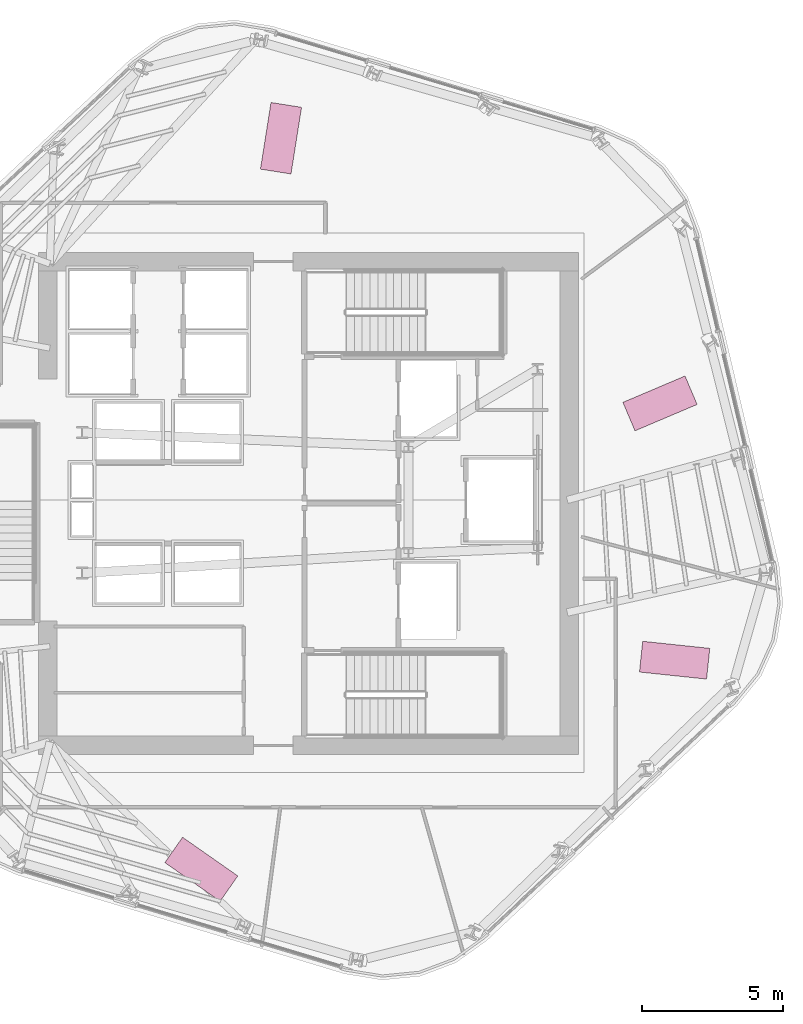
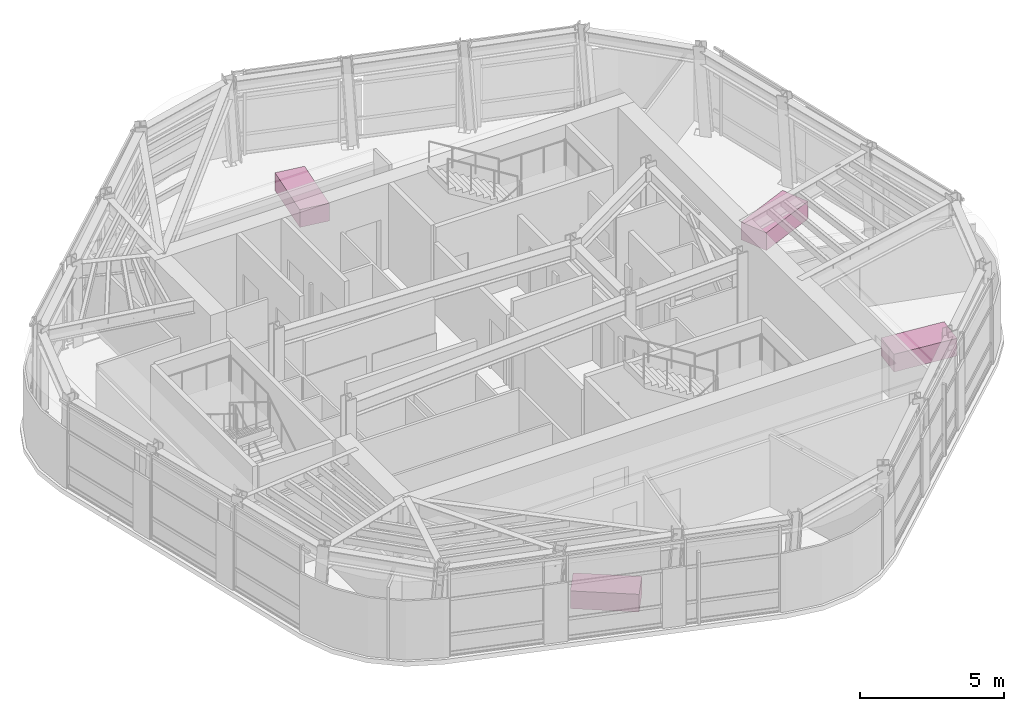
# One storey, part 14 of 14: 4 furniture elements.
"""IFC4 building model written with IfcOpenShell, lengths in metres."""

import ifcopenshell
import ifcopenshell.guid

model = None  # the IFC model being written
_history = None  # IfcOwnerHistory: only IFC2X3 demands one
_inside = {}  # id of a spatial element -> (the spatial element, [elements in it])
_under = {}  # id of a project, library or spatial element -> (it, [spatial elements below it])
_declared = {}  # id of a project -> (the project, [libraries it declares])
_typed = {}  # id of a type object -> (the type object, [elements of that type])
_made_of = {}  # id of a material, layer set ... -> (it, [elements and type objects made of it])


def new_model(schema):
    """Start an empty IFC model of exactly this schema.

    Asked for "IFC4X3", IfcOpenShell would pick the latest addendum, in which some entities
    have other attributes; the version numbers below select the first issue.
    IFC2X3 requires an IfcOwnerHistory on every rooted entity: one is made here for all.
    """
    global model, _history
    if schema == "IFC4X3":
        model = ifcopenshell.file(schema_version=(4, 3, 0, 0))
    else:
        model = ifcopenshell.file(schema=schema)
    _inside.clear()
    _under.clear()
    _declared.clear()
    _typed.clear()
    _made_of.clear()
    _history = None
    if model.schema == "IFC2X3":
        org = make("IfcOrganization", Name="unknown")
        user = make(
            "IfcPersonAndOrganization",
            ThePerson=make("IfcPerson", FamilyName="unknown"),
            TheOrganization=org,
        )
        app = make(
            "IfcApplication",
            ApplicationDeveloper=org,
            Version="unknown",
            ApplicationFullName="unknown",
            ApplicationIdentifier="unknown",
        )
        _history = make(
            "IfcOwnerHistory",
            OwningUser=user,
            OwningApplication=app,
            ChangeAction="ADDED",
            CreationDate=0,
        )
    return model


def make(cls, **values):
    """One entity of the class cls with the attributes given. An attribute that is None is left unset."""
    return model.create_entity(
        cls, **{name: value for name, value in values.items() if value is not None}
    )


def rooted(cls, **values):
    """An entity with a GlobalId (a new one), such as an element, a storey or a relation."""
    return make(cls, GlobalId=ifcopenshell.guid.new(), OwnerHistory=_history, **values)


def si_unit(unit_type, name, prefix=None):
    """IfcSIUnit, for example si_unit("LENGTHUNIT", "METRE", prefix="MILLI")."""
    return make("IfcSIUnit", UnitType=unit_type, Prefix=prefix, Name=name)


def assignment(units):
    """IfcUnitAssignment: the units of a project."""
    return None if units is None else make("IfcUnitAssignment", Units=units)


def point(xyz):
    """IfcCartesianPoint."""
    return None if xyz is None else make("IfcCartesianPoint", Coordinates=xyz)


def direction(xyz):
    """IfcDirection."""
    return None if xyz is None else make("IfcDirection", DirectionRatios=xyz)


def frame(location, z_axis=None, x_axis=None):
    """IfcAxis2Placement3D, a coordinate frame: its origin and axes. An axis left out is left unset."""
    return make(
        "IfcAxis2Placement3D",
        Location=point(location),
        Axis=direction(z_axis),
        RefDirection=direction(x_axis),
    )


def frame_2d(location, x_axis=None):
    """IfcAxis2Placement2D, a coordinate frame in the plane: its origin and x axis."""
    return make(
        "IfcAxis2Placement2D", Location=point(location), RefDirection=direction(x_axis)
    )


def origin():
    """The frame at (0, 0, 0) with its axes left unset."""
    return frame((0.0, 0.0, 0.0))


def origin_2d():
    """The frame at (0, 0) in the plane with its x axis left unset."""
    return frame_2d((0.0, 0.0))


def place(relative_to, where):
    """IfcLocalPlacement: puts the frame where relative to a parent placement (None: the world)."""
    return make(
        "IfcLocalPlacement", PlacementRelTo=relative_to, RelativePlacement=where
    )


def context(
    kind, dimensions, precision=None, world=None, true_north=None, identifier=None
):
    """IfcGeometricRepresentationContext, for example the 3D "Model" context."""
    return make(
        "IfcGeometricRepresentationContext",
        ContextIdentifier=identifier,
        ContextType=kind,
        CoordinateSpaceDimension=dimensions,
        Precision=precision,
        WorldCoordinateSystem=world,
        TrueNorth=true_north,
    )


def subcontext(parent, identifier, kind, view, scale=None):
    """IfcGeometricRepresentationSubContext, for example "Body" below "Model"."""
    return make(
        "IfcGeometricRepresentationSubContext",
        ContextIdentifier=identifier,
        ContextType=kind,
        ParentContext=parent,
        TargetScale=scale,
        TargetView=view,
    )


def project(units=None, contexts=None):
    """IfcProject with its units and contexts."""
    return rooted(
        "IfcProject",
        Name="project",
        RepresentationContexts=contexts,
        UnitsInContext=assignment(units),
    )


def spatial(cls, under=None, at=None, **own):
    """A site, building, storey or space (cls), placed at a placement, below another one or the project."""
    s = rooted(cls, ObjectPlacement=at, **own)
    if under is not None:
        _under.setdefault(under.id(), (under, []))[1].append(s)
    return s


def profile(cls, at=None, kind="AREA", **sizes):
    """A parametric profile (cls). Its sizes go by their IFC names, for example OverallWidth=200.0."""
    return make(cls, ProfileType=kind, Position=at, **sizes)


def rectangle(**sizes):
    """IfcRectangleProfileDef."""
    return profile("IfcRectangleProfileDef", **sizes)


def extrude(swept, where, along, depth):
    """IfcExtrudedAreaSolid: the profile swept, set in the frame where, extruded along a direction by depth."""
    return make(
        "IfcExtrudedAreaSolid",
        SweptArea=swept,
        Position=where,
        ExtrudedDirection=direction(along),
        Depth=depth,
    )


def shape(context_of_items, identifier, shape_type, items):
    """IfcShapeRepresentation: the items that make up one representation, for example the "Body"."""
    return make(
        "IfcShapeRepresentation",
        ContextOfItems=context_of_items,
        RepresentationIdentifier=identifier,
        RepresentationType=shape_type,
        Items=items,
    )


def material(Name=None, Category=None):
    """IfcMaterial."""
    return make("IfcMaterial", Name=Name, Category=Category)


def made_of(thing, what):
    """Note that an element or type object is made of a material, layer set ...; save() writes the relation."""
    if what is not None:
        _made_of.setdefault(what.id(), (what, []))[1].append(thing)
    return thing


def type_object(cls, material=None, **own):
    """A type object (cls), such as IfcWallType, which elements share."""
    return made_of(rooted(cls, **own), material)


def element(
    cls,
    number,
    at=None,
    inside=None,
    cuts=None,
    type_object=None,
    material=None,
    context=None,
    identifier="Body",
    shape_type=None,
    held_by="IfcProductDefinitionShape",
    body=None,
    shapes=None,
    **own,
):
    """One element of the class cls, such as IfcWall. Its Tag is "e" and its number.

    at: its placement. inside: the storey or other place that contains it. cuts: it is an
    opening in that element (IfcRelVoidsElement). A single representation is given by context,
    identifier, shape_type and body (its items); several are given by shapes. held_by: the class
    of the entity that holds the representations. save() writes the other relations.
    """
    e = rooted(cls, Tag="e%d" % number, ObjectPlacement=at, **own)
    if body is not None:
        shapes = [shape(context, identifier, shape_type, body)]
    if shapes is not None:
        e.Representation = make(held_by, Representations=shapes)
    if inside is not None:
        _inside.setdefault(inside.id(), (inside, []))[1].append(e)
    if cuts is not None:
        rooted(
            "IfcRelVoidsElement", RelatingBuildingElement=cuts, RelatedOpeningElement=e
        )
    if type_object is not None:
        _typed.setdefault(type_object.id(), (type_object, []))[1].append(e)
    return made_of(e, material)


def aggregate(whole, parts):
    """IfcRelAggregates: a whole, such as a stair, and the parts it consists of."""
    return rooted("IfcRelAggregates", RelatingObject=whole, RelatedObjects=parts)


def save(model, path):
    """Write the relations noted so far, then the file.

    IfcRelAggregates (storeys below a building ...), IfcRelContainedInSpatialStructure (elements
    in a storey), IfcRelDefinesByType, IfcRelAssociatesMaterial and IfcRelDeclares: one each for
    every whole, place, type object, material and project.
    """
    for whole, parts in _under.values():
        aggregate(whole, parts)
    for where, things in _inside.values():
        rooted(
            "IfcRelContainedInSpatialStructure",
            RelatedElements=things,
            RelatingStructure=where,
        )
    for kind, things in _typed.values():
        rooted("IfcRelDefinesByType", RelatedObjects=things, RelatingType=kind)
    for what, things in _made_of.values():
        rooted("IfcRelAssociatesMaterial", RelatedObjects=things, RelatingMaterial=what)
    for by, libraries in _declared.values():
        rooted("IfcRelDeclares", RelatingContext=by, RelatedDefinitions=libraries)
    model.write(path)


model = new_model("IFC4")

# Units and contexts
model_context = context("Model", 3, precision=1e-05, world=origin(), true_north=direction((0.0, 1.0)))
body_context = subcontext(model_context, "Body", "Model", "MODEL_VIEW")
ifc_project = project(units=[si_unit("LENGTHUNIT", "METRE"), si_unit("AREAUNIT", "SQUARE_METRE"), si_unit("VOLUMEUNIT", "CUBIC_METRE"), si_unit("PLANEANGLEUNIT", "RADIAN"), si_unit("MASSUNIT", "GRAM", prefix="KILO")], contexts=[model_context])

# Site, building, storey
site_placement = place(None, origin())
site = spatial("IfcSite", under=ifc_project, at=site_placement, CompositionType="ELEMENT")
building_placement = place(site_placement, origin())
building = spatial("IfcBuilding", under=site, at=building_placement, Name="Valkerne Bourse Tower", CompositionType="ELEMENT")
storey_placement = place(building_placement, frame((0.0, 0.0, 209.39990234375)))
storey = spatial("IfcBuildingStorey", under=building, at=storey_placement, Name="L53", CompositionType="ELEMENT", Elevation=209.39990234375)

# Furniture
ifc_material = material(Name="Architectural White Oak Timber", Category="wood")
furniture_type = type_object("IfcFurnitureType", Name="FURN-DESK-2400", AssemblyPlace="NOTDEFINED", PredefinedType="DESK", material=ifc_material)
for number, where, z_axis, x_axis, name in (
    (1, (42.988037109375, 13.867919921875, 0.045166015625), (0.0, 0.0, 1.0), (-0.819152044289, 0.573576436351, 0.0), "L53 Suite Worktable 06"),
    (2, (59.820068359375, 21.302978515625, 0.045166015625), (0.0, 0.0, 1.0), (-0.994521895368, 0.104528463268, 0.0), "L53 Suite Worktable 07"),
    (3, (59.300048828125, 30.43505859375, 0.045166015625), (0.0, 0.0, 1.0), (0.920504853452, 0.390731128489, 0.0), "L53 Suite Worktable 08"),
    (4, (45.821044921875, 39.865966796875, 0.045166015625), (0.0, 0.0, 1.0), (0.15643446504, 0.987688340595, 0.0), "L53 Suite Worktable 10"),
):
    element("IfcFurniture", number, at=place(storey_placement, frame(where, z_axis=z_axis, x_axis=x_axis)), inside=storey, type_object=furniture_type, Name=name, PredefinedType="DESK", context=body_context, shape_type="SweptSolid", body=[
        extrude(rectangle(XDim=2.39990234375, YDim=1.10009765625, at=origin_2d()), origin(), (0.0, 0.0, 1.0), 0.75),
    ])

save(model, "model.ifc")
